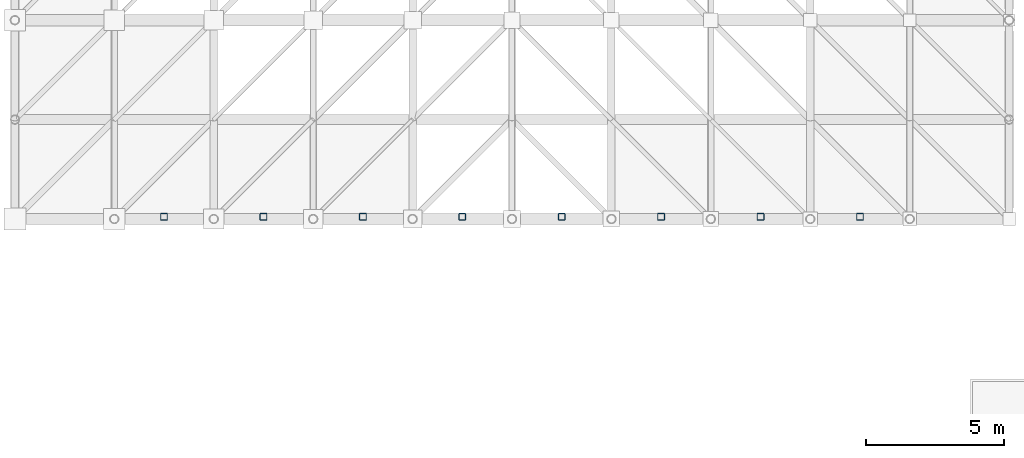
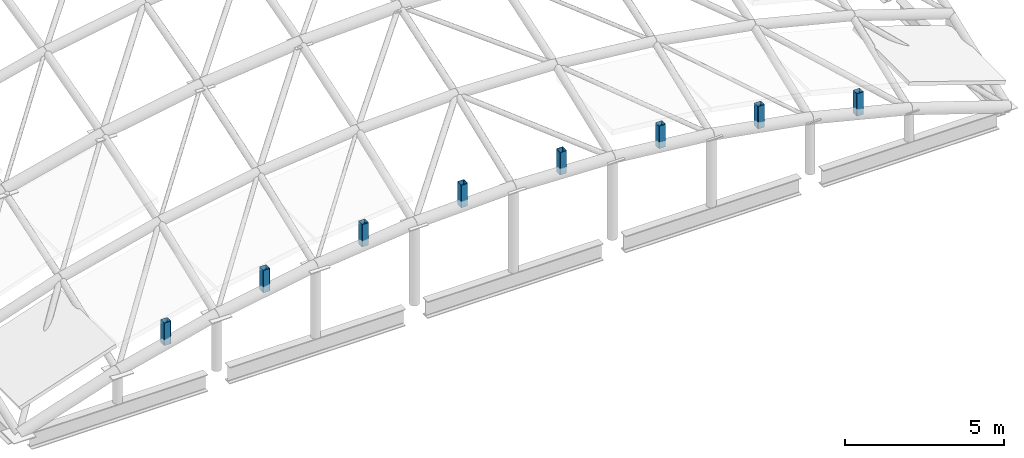
# One storey, part 21 of 40: 8 members.
"""IFC4 building model written with IfcOpenShell, lengths in metres."""

from ifc_helpers import new_model, si_unit, direction, frame, origin, origin_2d, place, context, subcontext, project, spatial, hollow_rectangle, extrude, material, material_profile, profile_set, type_object, element, save


model = new_model("IFC4")

# Units and contexts
model_context = context("Model", 3, precision=1e-05, world=origin(), true_north=direction((0.0, 1.0)))
body_context = subcontext(model_context, "Body", "Model", "MODEL_VIEW")
ifc_project = project(units=[si_unit("LENGTHUNIT", "METRE"), si_unit("AREAUNIT", "SQUARE_METRE"), si_unit("VOLUMEUNIT", "CUBIC_METRE"), si_unit("PLANEANGLEUNIT", "RADIAN"), si_unit("MASSUNIT", "GRAM", prefix="KILO")], contexts=[model_context])

# Site, building, storey
site_placement = place(None, origin())
site = spatial("IfcSite", under=ifc_project, at=site_placement, CompositionType="ELEMENT")
building_placement = place(site_placement, origin())
building = spatial("IfcBuilding", under=site, at=building_placement, Name="Kavelor Marine Aquarium", CompositionType="ELEMENT")
storey_placement = place(building_placement, frame((0.0, 0.0, 17.639892578125)))
storey = spatial("IfcBuildingStorey", under=building, at=storey_placement, Name="L04", CompositionType="ELEMENT", Elevation=17.639892578125)

# Members
ifc_material = material(Name="Steel S355", Category="steel")
ifc_material_profile = material_profile(ifc_material, hollow_rectangle(XDim=0.25, YDim=0.25, WallThickness=0.010009765625, InnerFilletRadius=0.014892578125, OuterFilletRadius=0.02490234375, at=origin_2d()), Name="SHS 250x250x10.0")
ifc_profile_set = profile_set([ifc_material_profile], Name="Steel S355")
member_type = type_object("IfcMemberType", Name="ST-PV1", PredefinedType="CHORD", material=ifc_profile_set)
for number, where, z_axis, x_axis, name in (
    (1, (8.60009765625, 24.47998046875, 1.5810546875), (0.0, 0.0, 1.0), (1.0, 0.0, 0.0), "gs:gpost:01_00"),
    (2, (12.199951171875, 24.47998046875, 2.347412109375), (0.0, 0.0, 1.0), (1.0, 0.0, 0.0), "gs:gpost:02_00"),
):
    element("IfcMember", number, at=place(storey_placement, frame(where, z_axis=z_axis, x_axis=x_axis)), inside=storey, type_object=member_type, Name=name, PredefinedType="CHORD", context=body_context, shape_type="SweptSolid", body=[
        extrude(hollow_rectangle(XDim=0.25, YDim=0.25, WallThickness=0.010009765625, InnerFilletRadius=0.014892578125, OuterFilletRadius=0.02490234375, at=origin_2d()), origin(), (0.0, 0.0, 1.0), 0.864501953125),
    ])
for number, where, z_axis, x_axis, name in (
    (3, (15.800048828125, 24.47998046875, 2.85205078125), (0.0, 0.0, 1.0), (1.0, 0.0, 0.0), "gs:gpost:03_00"),
    (4, (19.39990234375, 24.47998046875, 3.1025390625), (0.0, 0.0, 1.0), (1.0, 0.0, 0.0), "gs:gpost:04_00"),
    (5, (23.0, 24.47998046875, 3.1025390625), (0.0, 0.0, 1.0), (1.0, 0.0, 0.0), "gs:gpost:05_00"),
    (6, (26.60009765625, 24.47998046875, 2.85205078125), (0.0, 0.0, 1.0), (1.0, 0.0, 0.0), "gs:gpost:06_00"),
):
    element("IfcMember", number, at=place(storey_placement, frame(where, z_axis=z_axis, x_axis=x_axis)), inside=storey, type_object=member_type, Name=name, PredefinedType="CHORD", context=body_context, shape_type="SweptSolid", body=[
        extrude(hollow_rectangle(XDim=0.25, YDim=0.25, WallThickness=0.010009765625, InnerFilletRadius=0.014892578125, OuterFilletRadius=0.02490234375, at=origin_2d()), origin(), (0.0, 0.0, 1.0), 0.8642578125),
    ])
for number, where, z_axis, x_axis, name in (
    (7, (30.199951171875, 24.47998046875, 2.347412109375), (0.0, 0.0, 1.0), (1.0, 0.0, 0.0), "gs:gpost:07_00"),
    (8, (33.800048828125, 24.47998046875, 1.5810546875), (0.0, 0.0, 1.0), (1.0, 0.0, 0.0), "gs:gpost:08_00"),
):
    element("IfcMember", number, at=place(storey_placement, frame(where, z_axis=z_axis, x_axis=x_axis)), inside=storey, type_object=member_type, Name=name, PredefinedType="CHORD", context=body_context, shape_type="SweptSolid", body=[
        extrude(hollow_rectangle(XDim=0.25, YDim=0.25, WallThickness=0.010009765625, InnerFilletRadius=0.014892578125, OuterFilletRadius=0.02490234375, at=origin_2d()), origin(), (0.0, 0.0, 1.0), 0.864501953125),
    ])

save(model, "model.ifc")
